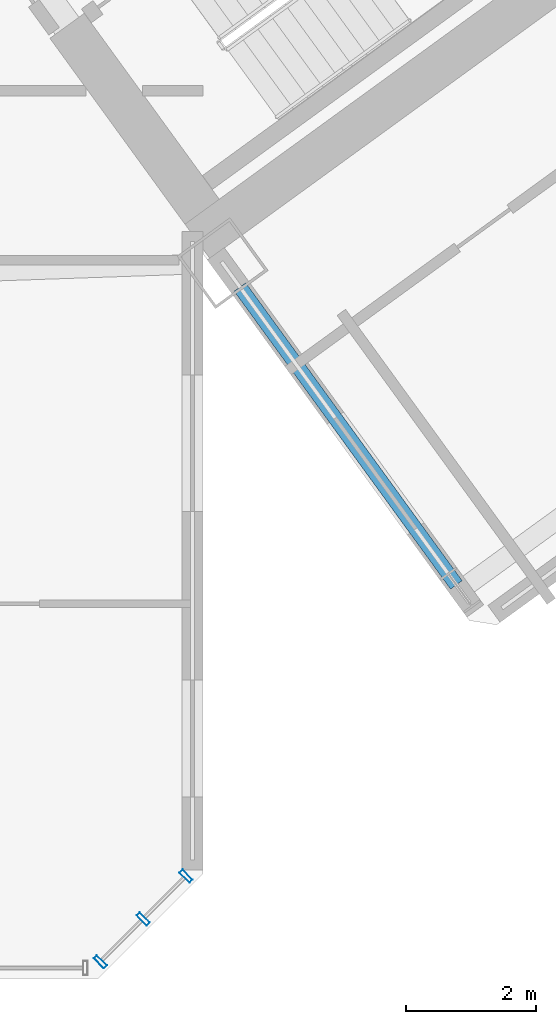
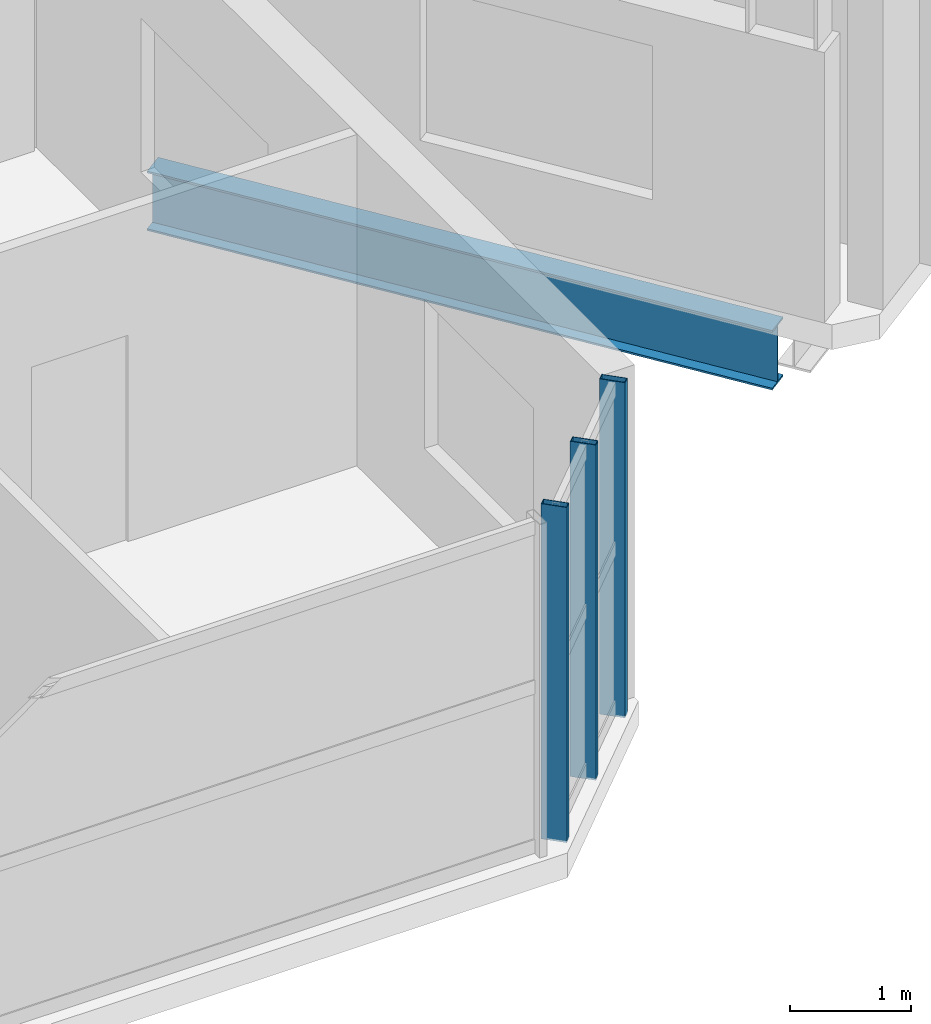
# One storey, part 9 of 28: 3 members, 1 beam, 1 element without a shape of its own.
"""IFC4 building model written with IfcOpenShell, lengths in metres."""

import ifcopenshell
import ifcopenshell.guid

model = None  # the IFC model being written
_history = None  # IfcOwnerHistory: only IFC2X3 demands one
_inside = {}  # id of a spatial element -> (the spatial element, [elements in it])
_under = {}  # id of a project, library or spatial element -> (it, [spatial elements below it])
_declared = {}  # id of a project -> (the project, [libraries it declares])
_typed = {}  # id of a type object -> (the type object, [elements of that type])
_made_of = {}  # id of a material, layer set ... -> (it, [elements and type objects made of it])


def new_model(schema):
    """Start an empty IFC model of exactly this schema.

    Asked for "IFC4X3", IfcOpenShell would pick the latest addendum, in which some entities
    have other attributes; the version numbers below select the first issue.
    IFC2X3 requires an IfcOwnerHistory on every rooted entity: one is made here for all.
    """
    global model, _history
    if schema == "IFC4X3":
        model = ifcopenshell.file(schema_version=(4, 3, 0, 0))
    else:
        model = ifcopenshell.file(schema=schema)
    _inside.clear()
    _under.clear()
    _declared.clear()
    _typed.clear()
    _made_of.clear()
    _history = None
    if model.schema == "IFC2X3":
        org = make("IfcOrganization", Name="unknown")
        user = make(
            "IfcPersonAndOrganization",
            ThePerson=make("IfcPerson", FamilyName="unknown"),
            TheOrganization=org,
        )
        app = make(
            "IfcApplication",
            ApplicationDeveloper=org,
            Version="unknown",
            ApplicationFullName="unknown",
            ApplicationIdentifier="unknown",
        )
        _history = make(
            "IfcOwnerHistory",
            OwningUser=user,
            OwningApplication=app,
            ChangeAction="ADDED",
            CreationDate=0,
        )
    return model


def make(cls, **values):
    """One entity of the class cls with the attributes given. An attribute that is None is left unset."""
    return model.create_entity(
        cls, **{name: value for name, value in values.items() if value is not None}
    )


def rooted(cls, **values):
    """An entity with a GlobalId (a new one), such as an element, a storey or a relation."""
    return make(cls, GlobalId=ifcopenshell.guid.new(), OwnerHistory=_history, **values)


def si_unit(unit_type, name, prefix=None):
    """IfcSIUnit, for example si_unit("LENGTHUNIT", "METRE", prefix="MILLI")."""
    return make("IfcSIUnit", UnitType=unit_type, Prefix=prefix, Name=name)


def assignment(units):
    """IfcUnitAssignment: the units of a project."""
    return None if units is None else make("IfcUnitAssignment", Units=units)


def point(xyz):
    """IfcCartesianPoint."""
    return None if xyz is None else make("IfcCartesianPoint", Coordinates=xyz)


def direction(xyz):
    """IfcDirection."""
    return None if xyz is None else make("IfcDirection", DirectionRatios=xyz)


def frame(location, z_axis=None, x_axis=None):
    """IfcAxis2Placement3D, a coordinate frame: its origin and axes. An axis left out is left unset."""
    return make(
        "IfcAxis2Placement3D",
        Location=point(location),
        Axis=direction(z_axis),
        RefDirection=direction(x_axis),
    )


def frame_2d(location, x_axis=None):
    """IfcAxis2Placement2D, a coordinate frame in the plane: its origin and x axis."""
    return make(
        "IfcAxis2Placement2D", Location=point(location), RefDirection=direction(x_axis)
    )


def origin():
    """The frame at (0, 0, 0) with its axes left unset."""
    return frame((0.0, 0.0, 0.0))


def origin_2d():
    """The frame at (0, 0) in the plane with its x axis left unset."""
    return frame_2d((0.0, 0.0))


def place(relative_to, where):
    """IfcLocalPlacement: puts the frame where relative to a parent placement (None: the world)."""
    return make(
        "IfcLocalPlacement", PlacementRelTo=relative_to, RelativePlacement=where
    )


def context(
    kind, dimensions, precision=None, world=None, true_north=None, identifier=None
):
    """IfcGeometricRepresentationContext, for example the 3D "Model" context."""
    return make(
        "IfcGeometricRepresentationContext",
        ContextIdentifier=identifier,
        ContextType=kind,
        CoordinateSpaceDimension=dimensions,
        Precision=precision,
        WorldCoordinateSystem=world,
        TrueNorth=true_north,
    )


def subcontext(parent, identifier, kind, view, scale=None):
    """IfcGeometricRepresentationSubContext, for example "Body" below "Model"."""
    return make(
        "IfcGeometricRepresentationSubContext",
        ContextIdentifier=identifier,
        ContextType=kind,
        ParentContext=parent,
        TargetScale=scale,
        TargetView=view,
    )


def project(units=None, contexts=None):
    """IfcProject with its units and contexts."""
    return rooted(
        "IfcProject",
        Name="project",
        RepresentationContexts=contexts,
        UnitsInContext=assignment(units),
    )


def spatial(cls, under=None, at=None, **own):
    """A site, building, storey or space (cls), placed at a placement, below another one or the project."""
    s = rooted(cls, ObjectPlacement=at, **own)
    if under is not None:
        _under.setdefault(under.id(), (under, []))[1].append(s)
    return s


def profile(cls, at=None, kind="AREA", **sizes):
    """A parametric profile (cls). Its sizes go by their IFC names, for example OverallWidth=200.0."""
    return make(cls, ProfileType=kind, Position=at, **sizes)


def hollow_rectangle(**sizes):
    """IfcRectangleHollowProfileDef."""
    return profile("IfcRectangleHollowProfileDef", **sizes)


def i_section(**sizes):
    """IfcIShapeProfileDef."""
    return profile("IfcIShapeProfileDef", **sizes)


def extrude(swept, where, along, depth):
    """IfcExtrudedAreaSolid: the profile swept, set in the frame where, extruded along a direction by depth."""
    return make(
        "IfcExtrudedAreaSolid",
        SweptArea=swept,
        Position=where,
        ExtrudedDirection=direction(along),
        Depth=depth,
    )


def shape(context_of_items, identifier, shape_type, items):
    """IfcShapeRepresentation: the items that make up one representation, for example the "Body"."""
    return make(
        "IfcShapeRepresentation",
        ContextOfItems=context_of_items,
        RepresentationIdentifier=identifier,
        RepresentationType=shape_type,
        Items=items,
    )


def source(mapping_origin, context_of_items, identifier, shape_type, items):
    """IfcRepresentationMap: a shape defined once, which mapped items show again and again."""
    return make(
        "IfcRepresentationMap",
        MappingOrigin=mapping_origin,
        MappedRepresentation=shape(context_of_items, identifier, shape_type, items),
    )


def transform(
    local_origin,
    x_axis=None,
    y_axis=None,
    z_axis=None,
    scale=None,
    scale2=None,
    scale3=None,
    uniform=True,
):
    """IfcCartesianTransformationOperator3D, or its non-uniform kind. x_axis, y_axis, z_axis: its Axis1, 2, 3."""
    if uniform:
        return make(
            "IfcCartesianTransformationOperator3D",
            Axis1=direction(x_axis),
            Axis2=direction(y_axis),
            LocalOrigin=point(local_origin),
            Scale=scale,
            Axis3=direction(z_axis),
        )
    return make(
        "IfcCartesianTransformationOperator3DnonUniform",
        Axis1=direction(x_axis),
        Axis2=direction(y_axis),
        LocalOrigin=point(local_origin),
        Scale=scale,
        Axis3=direction(z_axis),
        Scale2=scale2,
        Scale3=scale3,
    )


def mapped(mapping_source, mapping_target):
    """IfcMappedItem: shows the shape of a source again, moved by a transform."""
    return make(
        "IfcMappedItem", MappingSource=mapping_source, MappingTarget=mapping_target
    )


def material(Name=None, Category=None):
    """IfcMaterial."""
    return make("IfcMaterial", Name=Name, Category=Category)


def material_profile(
    of_material, cross_section, Name=None, Category=None, Priority=None
):
    """IfcMaterialProfile: a cross section and its material."""
    return make(
        "IfcMaterialProfile",
        Name=Name,
        Material=of_material,
        Profile=cross_section,
        Priority=Priority,
        Category=Category,
    )


def profile_set(profiles, Name=None, composite=None):
    """IfcMaterialProfileSet."""
    return make(
        "IfcMaterialProfileSet",
        Name=Name,
        MaterialProfiles=profiles,
        CompositeProfile=composite,
    )


def made_of(thing, what):
    """Note that an element or type object is made of a material, layer set ...; save() writes the relation."""
    if what is not None:
        _made_of.setdefault(what.id(), (what, []))[1].append(thing)
    return thing


def type_object(cls, material=None, **own):
    """A type object (cls), such as IfcWallType, which elements share."""
    return made_of(rooted(cls, **own), material)


def element(
    cls,
    number,
    at=None,
    inside=None,
    cuts=None,
    type_object=None,
    material=None,
    context=None,
    identifier="Body",
    shape_type=None,
    held_by="IfcProductDefinitionShape",
    body=None,
    shapes=None,
    **own,
):
    """One element of the class cls, such as IfcWall. Its Tag is "e" and its number.

    at: its placement. inside: the storey or other place that contains it. cuts: it is an
    opening in that element (IfcRelVoidsElement). A single representation is given by context,
    identifier, shape_type and body (its items); several are given by shapes. held_by: the class
    of the entity that holds the representations. save() writes the other relations.
    """
    e = rooted(cls, Tag="e%d" % number, ObjectPlacement=at, **own)
    if body is not None:
        shapes = [shape(context, identifier, shape_type, body)]
    if shapes is not None:
        e.Representation = make(held_by, Representations=shapes)
    if inside is not None:
        _inside.setdefault(inside.id(), (inside, []))[1].append(e)
    if cuts is not None:
        rooted(
            "IfcRelVoidsElement", RelatingBuildingElement=cuts, RelatedOpeningElement=e
        )
    if type_object is not None:
        _typed.setdefault(type_object.id(), (type_object, []))[1].append(e)
    return made_of(e, material)


def aggregate(whole, parts):
    """IfcRelAggregates: a whole, such as a stair, and the parts it consists of."""
    return rooted("IfcRelAggregates", RelatingObject=whole, RelatedObjects=parts)


def save(model, path):
    """Write the relations noted so far, then the file.

    IfcRelAggregates (storeys below a building ...), IfcRelContainedInSpatialStructure (elements
    in a storey), IfcRelDefinesByType, IfcRelAssociatesMaterial and IfcRelDeclares: one each for
    every whole, place, type object, material and project.
    """
    for whole, parts in _under.values():
        aggregate(whole, parts)
    for where, things in _inside.values():
        rooted(
            "IfcRelContainedInSpatialStructure",
            RelatedElements=things,
            RelatingStructure=where,
        )
    for kind, things in _typed.values():
        rooted("IfcRelDefinesByType", RelatedObjects=things, RelatingType=kind)
    for what, things in _made_of.values():
        rooted("IfcRelAssociatesMaterial", RelatedObjects=things, RelatingMaterial=what)
    for by, libraries in _declared.values():
        rooted("IfcRelDeclares", RelatingContext=by, RelatedDefinitions=libraries)
    model.write(path)


model = new_model("IFC4")

# Units and contexts
model_context = context("Model", 3, precision=1e-05, world=origin(), true_north=direction((0.0, 1.0)))
body_context = subcontext(model_context, "Body", "Model", "MODEL_VIEW")
ifc_project = project(units=[si_unit("LENGTHUNIT", "METRE"), si_unit("AREAUNIT", "SQUARE_METRE"), si_unit("VOLUMEUNIT", "CUBIC_METRE"), si_unit("PLANEANGLEUNIT", "RADIAN"), si_unit("MASSUNIT", "GRAM", prefix="KILO")], contexts=[model_context])

# Site, building, storey
site_placement = place(None, origin())
site = spatial("IfcSite", under=ifc_project, at=site_placement, CompositionType="ELEMENT")
building_placement = place(site_placement, origin())
building = spatial("IfcBuilding", under=site, at=building_placement, Name="Tlacorven Tower", CompositionType="ELEMENT")
storey_placement = place(building_placement, frame((0.0, 0.0, 42.0)))
storey = spatial("IfcBuildingStorey", under=building, at=storey_placement, Name="L10", CompositionType="ELEMENT", Elevation=42.0)

# Beam
ifc_material_1 = material(Name="Steel S355J2", Category="steel")
ifc_material_profile_1 = material_profile(ifc_material_1, i_section(OverallWidth=0.219970703125, OverallDepth=0.60009765625, WebThickness=0.011962890625, FlangeThickness=0.01904296875, at=origin_2d()), Name="IPE 600")
ifc_profile_set_1 = profile_set([ifc_material_profile_1], Name="Steel S355J2")
beam_type = type_object("IfcBeamType", Name="BM-TWR-600", PredefinedType="BEAM", material=ifc_profile_set_1)
shared_shape_1 = source(origin(), body_context, "Body", "SweptSolid", [
    extrude(i_section(OverallWidth=0.219970703125, OverallDepth=0.60009765625, WebThickness=0.011962890625, FlangeThickness=0.01904296875, at=origin_2d()), origin(), (0.0, 0.0, 1.0), 5.650146484375),
])
beam_placement = place(storey_placement, frame((56.291015625, 7.83837890625, -0.550048828125), z_axis=(-0.587783675561, 0.809018139935, 0.0), x_axis=(-0.809018139935, -0.587783675561, 0.0)))
element("IfcBeam", 1, at=beam_placement, inside=storey, type_object=beam_type, Name="L10 beam BM-L10-ET1-1", PredefinedType="BEAM", context=body_context, shape_type="MappedRepresentation", body=[
    mapped(shared_shape_1, transform((0.0, 0.0, 0.0), scale=1.0)),
])

# Curtain wall, members
ifc_material_2 = material(Name="Dark solar low-E double glazing in aluminium frame", Category="aluminium")
curtain_wall_type = type_object("IfcCurtainWallType", Name="CW-TWR-LOW", PredefinedType="USERDEFINED", material=ifc_material_2)
curtain_wall_placement = place(storey_placement, origin())
curtain_wall = element("IfcCurtainWall", 2, at=curtain_wall_placement, inside=storey, type_object=curtain_wall_type, Name="L10 CW-TWR-LOW Curtain Wall 51", ObjectType="UNITISED CURTAIN WALL", PredefinedType="USERDEFINED")
ifc_material_3 = material(Name="Aluminium 6063-T6 anodised", Category="aluminium")
ifc_material_profile_2 = material_profile(ifc_material_3, hollow_rectangle(XDim=0.070068359375, YDim=0.219970703125, WallThickness=0.0048828125, at=origin_2d()), Name="ALU MULLION 70X220")
ifc_profile_set_2 = profile_set([ifc_material_profile_2], Name="Aluminium 6063-T6 anodised")
member_type = type_object("IfcMemberType", Name="CWM-01", PredefinedType="MULLION", material=ifc_profile_set_2)
shared_shape_2 = source(origin(), body_context, "Body", "SweptSolid", [
    extrude(hollow_rectangle(XDim=0.070068359375, YDim=0.219970703125, WallThickness=0.0048828125, at=origin_2d()), origin(), (0.0, 0.0, 1.0), 3.380126953125),
])
member_1_placement = place(storey_placement, frame((52.14453125, 3.370849609375, -0.02001953125), z_axis=(0.0, 0.0, 1.0), x_axis=(-0.707106781187, -0.707106781187, 0.0)))
member_1 = element("IfcMember", 3, at=member_1_placement, type_object=member_type, Name="CW-L10-051 Mullion 1", PredefinedType="MULLION", context=body_context, shape_type="MappedRepresentation", body=[
    mapped(shared_shape_2, transform((0.0, 0.0, 0.0), scale=1.0)),
])
member_2_placement = place(storey_placement, frame((51.48681640625, 2.713134765625, -0.02001953125), z_axis=(0.0, 0.0, 1.0), x_axis=(-0.707106781187, -0.707106781187, 0.0)))
member_2 = element("IfcMember", 4, at=member_2_placement, type_object=member_type, Name="CW-L10-051 Mullion 2", PredefinedType="MULLION", context=body_context, shape_type="MappedRepresentation", body=[
    mapped(shared_shape_2, transform((0.0, 0.0, 0.0), scale=1.0)),
])
member_3_placement = place(storey_placement, frame((50.8291015625, 2.055419921875, -0.02001953125), z_axis=(0.0, 0.0, 1.0), x_axis=(-0.707106781187, -0.707106781187, 0.0)))
member_3 = element("IfcMember", 5, at=member_3_placement, type_object=member_type, Name="CW-L10-051 Mullion 3", PredefinedType="MULLION", context=body_context, shape_type="MappedRepresentation", body=[
    mapped(shared_shape_2, transform((0.0, 0.0, 0.0), scale=1.0)),
])
aggregate(curtain_wall, [member_1, member_2, member_3])

save(model, "model.ifc")
